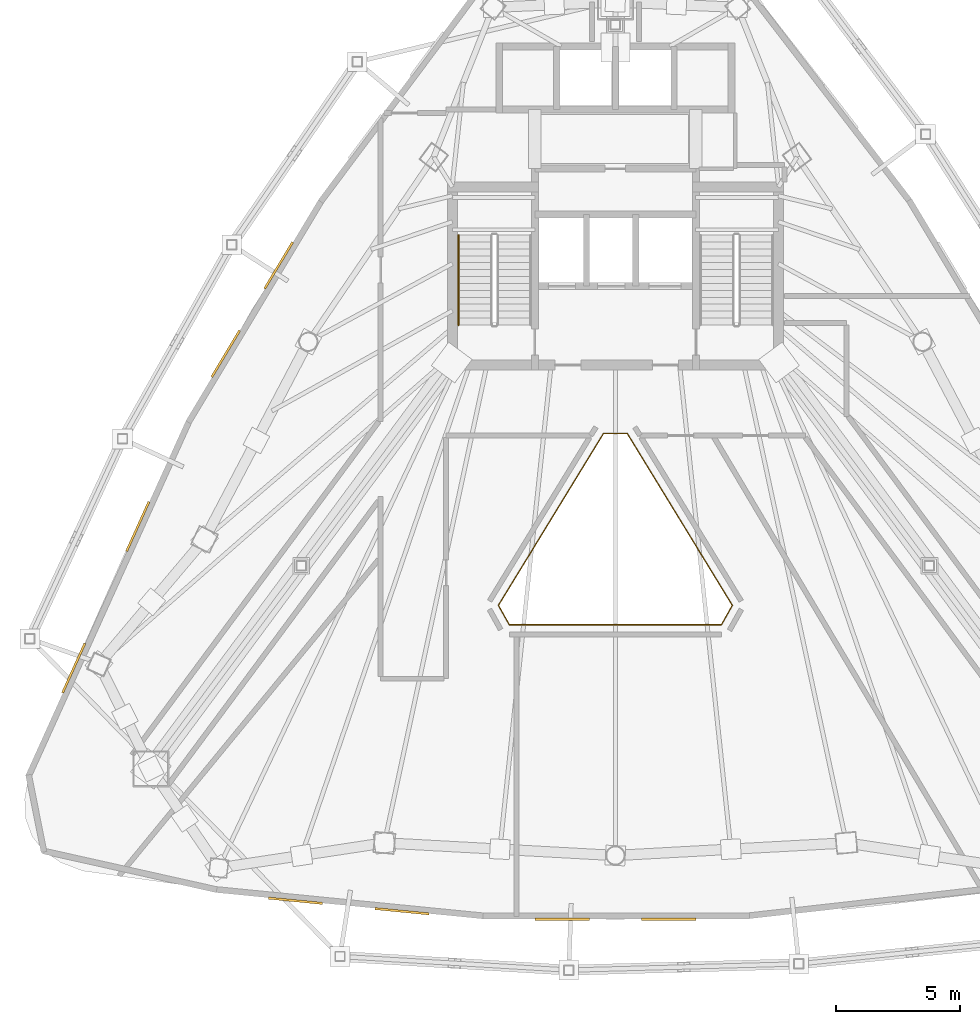
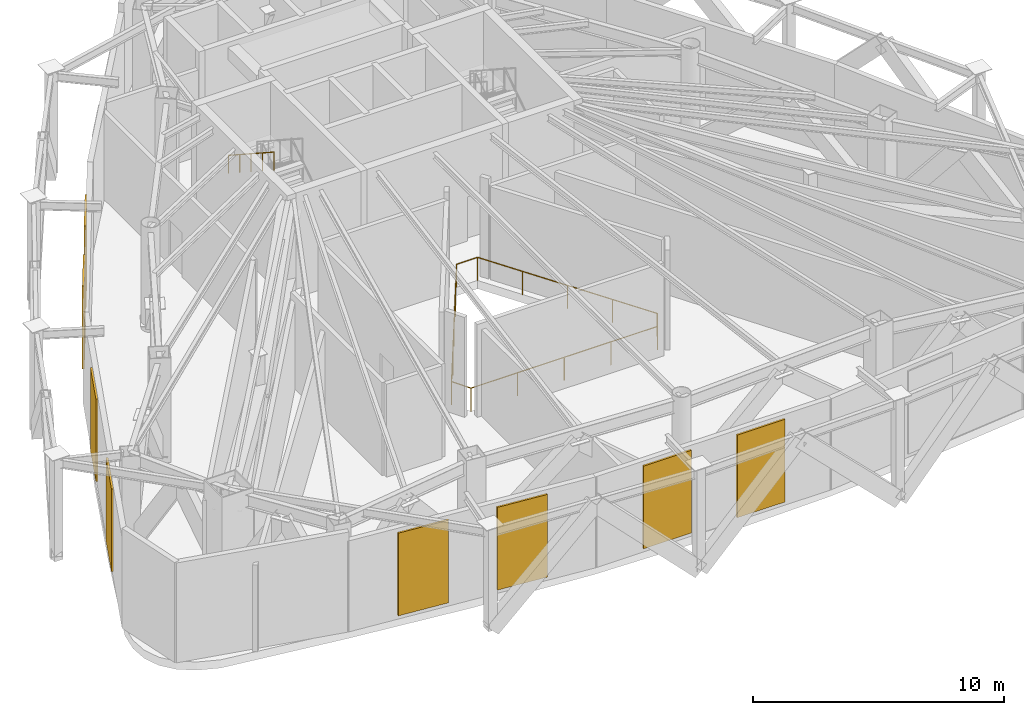
# One storey, part 8 of 10: 8 shading devices, 2 railings.
"""IFC4 building model written with IfcOpenShell, lengths in metres."""

from ifc_helpers import new_model, si_unit, direction, frame, origin, origin_2d, place, context, subcontext, project, spatial, rectangle, circle, extrude, material, layer, layer_set, type_object, element, save


model = new_model("IFC4")

# Units and contexts
model_context = context("Model", 3, precision=1e-05, world=origin(), true_north=direction((0.0, 1.0)))
body_context = subcontext(model_context, "Body", "Model", "MODEL_VIEW")
ifc_project = project(units=[si_unit("LENGTHUNIT", "METRE"), si_unit("AREAUNIT", "SQUARE_METRE"), si_unit("VOLUMEUNIT", "CUBIC_METRE"), si_unit("PLANEANGLEUNIT", "RADIAN"), si_unit("MASSUNIT", "GRAM", prefix="KILO")], contexts=[model_context])

# Site, building, storey
site_placement = place(None, origin())
site = spatial("IfcSite", under=ifc_project, at=site_placement, CompositionType="ELEMENT")
building_placement = place(site_placement, origin())
building = spatial("IfcBuilding", under=site, at=building_placement, Name="Orvanel Arch Residences", CompositionType="ELEMENT")
storey_placement = place(building_placement, frame((0.0, 0.0, 191.300048828125)))
storey = spatial("IfcBuildingStorey", under=building, at=storey_placement, Name="L54", CompositionType="ELEMENT", Elevation=191.300048828125)

# Shading devices
ifc_material_1 = material(Name="Insulated bronze-anodised aluminium spandrel panel", Category="aluminium")
ifc_layer = layer(ifc_material_1, 0.090087890625)
ifc_layer_set = layer_set([ifc_layer], Name="Insulated bronze-anodised aluminium spandrel panel")
shading_device_type = type_object("IfcShadingDeviceType", Name="LVR-PLT-90", PredefinedType="USERDEFINED", material=ifc_layer_set)
for number, where, z_axis, x_axis, name in (
    (1, (19.368896484375, 30.73095703125, 0.199951171875), (0.0, 0.0, 1.0), (-0.51503807491, -0.857167300702, 0.0), "L54 Mechanical Intake Louvre Panel F1-3"),
    (2, (17.22607421875, 27.156982421875, 0.199951171875), (0.0, 0.0, 1.0), (-0.51503807491, -0.857167300702, 0.0), "L54 Mechanical Intake Louvre Panel F1-4"),
    (3, (13.6669921875, 20.1640625, 0.199951171875), (0.0, 0.0, 1.0), (-0.411514358605, -0.911403276635, 0.0), "L54 Mechanical Intake Louvre Panel F1-5"),
    (4, (11.073974609375, 14.430908203125, 0.199951171875), (0.0, 0.0, 1.0), (-0.411514358605, -0.911403276635, 0.0), "L54 Mechanical Intake Louvre Panel F1-6"),
    (5, (20.049072265625, 5.012939453125, 0.199951171875), (0.0, 0.0, 1.0), (0.995227399982, -0.097582899759, 0.0), "L54 Mechanical Intake Louvre Panel F2-1"),
    (6, (24.362060546875, 4.587890625, 0.199951171875), (0.0, 0.0, 1.0), (0.995227399982, -0.097582899759, 0.0), "L54 Mechanical Intake Louvre Panel F2-2"),
    (7, (30.843994140625, 4.26806640625, 0.199951171875), (0.0, 0.0, 1.0), (1.0, 0.0, 0.0), "L54 Mechanical Intake Louvre Panel F2-3"),
    (8, (35.156005859375, 4.26806640625, 0.199951171875), (0.0, 0.0, 1.0), (1.0, 0.0, 0.0), "L54 Mechanical Intake Louvre Panel F2-4"),
):
    element("IfcShadingDevice", number, at=place(storey_placement, frame(where, z_axis=z_axis, x_axis=x_axis)), inside=storey, type_object=shading_device_type, Name=name, ObjectType="LOUVRE", PredefinedType="USERDEFINED", context=body_context, shape_type="SweptSolid", body=[
        extrude(rectangle(XDim=2.199951171875, YDim=0.090087890625, at=origin_2d()), origin(), (0.0, 0.0, 1.0), 4.02392578125),
    ])

# Railings
ifc_material_2 = material(Name="Bronze-anodised aluminium AA6063-T6", Category="aluminium")
railing_type_1 = type_object("IfcRailingType", Name="RL-ATR-1150", PredefinedType="BALUSTRADE", material=ifc_material_2)
railing_1_placement = place(storey_placement, frame((33.47998046875, 23.927978515625, 0.0)))
element("IfcRailing", 9, at=railing_1_placement, inside=storey, type_object=railing_type_1, Name="L54 Atrium Void Protective Balustrade", PredefinedType="BALUSTRADE", context=body_context, shape_type="SweptSolid", body=[
    extrude(circle(Radius=0.02392578125, at=origin_2d()), frame((-0.00146484375, 0.0, 1.1259765625), z_axis=(-1.0, 0.0, 0.0), x_axis=(0.0, -1.0, 0.0)), (0.0, 0.0, 1.0), 0.95703125),
    extrude(circle(Radius=0.02392578125, at=origin_2d()), frame((-0.960693359375, -0.001220703125, 1.1259765625), z_axis=(-0.521575958725, -0.853204851885, 0.0), x_axis=(0.853204851885, -0.521575958725, 0.0)), (0.0, 0.0, 1.0), 8.15087890625),
    extrude(circle(Radius=0.02392578125, at=origin_2d()), frame((-5.212158203125, -6.958251953125, 1.1259765625), z_axis=(0.488933819172, -0.872320881597, 0.0), x_axis=(0.872320881597, 0.488933819172, 0.0)), (0.0, 0.0, 1.0), 0.896728515625),
    extrude(circle(Radius=0.02392578125, at=origin_2d()), frame((-4.771484375, -7.741943359375, 1.1259765625), z_axis=(1.0, 0.0, 0.0), x_axis=(0.0, 1.0, 0.0)), (0.0, 0.0, 1.0), 8.5830078125),
    extrude(circle(Radius=0.02392578125, at=origin_2d()), frame((3.813720703125, -7.74072265625, 1.1259765625), z_axis=(0.488933819172, 0.872320881597, 0.0), x_axis=(-0.872320881597, 0.488933819172, 0.0)), (0.0, 0.0, 1.0), 0.896728515625),
    extrude(circle(Radius=0.02392578125, at=origin_2d()), frame((4.252197265625, -6.955810546875, 1.1259765625), z_axis=(-0.521575958725, 0.853204851885, 0.0), x_axis=(-0.853204851885, -0.521575958725, 0.0)), (0.0, 0.0, 1.0), 8.15087890625),
    extrude(circle(Radius=0.02099609375, at=origin_2d()), origin(), (0.0, 0.0, 1.0), 1.099853515625),
    extrude(circle(Radius=0.02099609375, at=origin_2d()), frame((-0.9599609375, 0.0, 0.0)), (0.0, 0.0, 1.0), 1.099853515625),
    extrude(circle(Radius=0.02099609375, at=origin_2d()), frame((-2.023193359375, -1.7392578125, 0.0)), (0.0, 0.0, 1.0), 1.099853515625),
    extrude(circle(Radius=0.02099609375, at=origin_2d()), frame((-3.08642578125, -3.478515625, 0.0)), (0.0, 0.0, 1.0), 1.099853515625),
    extrude(circle(Radius=0.02099609375, at=origin_2d()), frame((-4.149658203125, -5.2177734375, 0.0)), (0.0, 0.0, 1.0), 1.099853515625),
    extrude(circle(Radius=0.02099609375, at=origin_2d()), frame((-5.212890625, -6.95703125, 0.0)), (0.0, 0.0, 1.0), 1.099853515625),
    extrude(circle(Radius=0.02099609375, at=origin_2d()), frame((-4.77294921875, -7.741943359375, 0.0)), (0.0, 0.0, 1.0), 1.099853515625),
    extrude(circle(Radius=0.02099609375, at=origin_2d()), frame((-2.62646484375, -7.741943359375, 0.0)), (0.0, 0.0, 1.0), 1.099853515625),
    extrude(circle(Radius=0.02099609375, at=origin_2d()), frame((-0.47998046875, -7.741943359375, 0.0)), (0.0, 0.0, 1.0), 1.099853515625),
    extrude(circle(Radius=0.02099609375, at=origin_2d()), frame((1.66650390625, -7.741943359375, 0.0)), (0.0, 0.0, 1.0), 1.099853515625),
    extrude(circle(Radius=0.02099609375, at=origin_2d()), frame((3.81298828125, -7.741943359375, 0.0)), (0.0, 0.0, 1.0), 1.099853515625),
    extrude(circle(Radius=0.02099609375, at=origin_2d()), frame((4.2529296875, -6.95703125, 0.0)), (0.0, 0.0, 1.0), 1.099853515625),
    extrude(circle(Radius=0.02099609375, at=origin_2d()), frame((3.189697265625, -5.2177734375, 0.0)), (0.0, 0.0, 1.0), 1.099853515625),
    extrude(circle(Radius=0.02099609375, at=origin_2d()), frame((2.12646484375, -3.478515625, 0.0)), (0.0, 0.0, 1.0), 1.099853515625),
    extrude(circle(Radius=0.02099609375, at=origin_2d()), frame((1.063232421875, -1.7392578125, 0.0)), (0.0, 0.0, 1.0), 1.099853515625),
])
ifc_material_3 = material(Name="Structural steel AS/NZS 1163 C350L0 (Grade 350)", Category="steel")
railing_type_2 = type_object("IfcRailingType", Name="RL-STAIR-HAND", PredefinedType="HANDRAIL", material=ifc_material_3)
railing_2_placement = place(storey_placement, frame((26.64990234375, 31.9599609375, 2.732177734375)))
element("IfcRailing", 10, at=railing_2_placement, inside=storey, type_object=railing_type_2, Name="L54 ST-1 stair handrail 2", PredefinedType="HANDRAIL", context=body_context, shape_type="SweptSolid", body=[
    extrude(circle(Radius=0.02392578125, at=origin_2d()), frame((0.0, -0.001220703125, 0.876708984375), z_axis=(0.0, -0.838259873693, 0.545270927297), x_axis=(1.0, 0.0, 0.0)), (0.0, 0.0, 1.0), 4.339111328125),
    extrude(circle(Radius=0.02099609375, at=origin_2d()), origin(), (0.0, 0.0, 1.0), 0.849853515625),
    extrude(circle(Radius=0.02099609375, at=origin_2d()), frame((0.0, -0.909912109375, 0.591796875)), (0.0, 0.0, 1.0), 0.849853515625),
    extrude(circle(Radius=0.02099609375, at=origin_2d()), frame((0.0, -1.81982421875, 1.183837890625)), (0.0, 0.0, 1.0), 0.849853515625),
    extrude(circle(Radius=0.02099609375, at=origin_2d()), frame((0.0, -2.72998046875, 1.77587890625)), (0.0, 0.0, 1.0), 0.849853515625),
    extrude(circle(Radius=0.02099609375, at=origin_2d()), frame((0.0, -3.639892578125, 2.36767578125)), (0.0, 0.0, 1.0), 0.849853515625),
])

save(model, "model.ifc")
